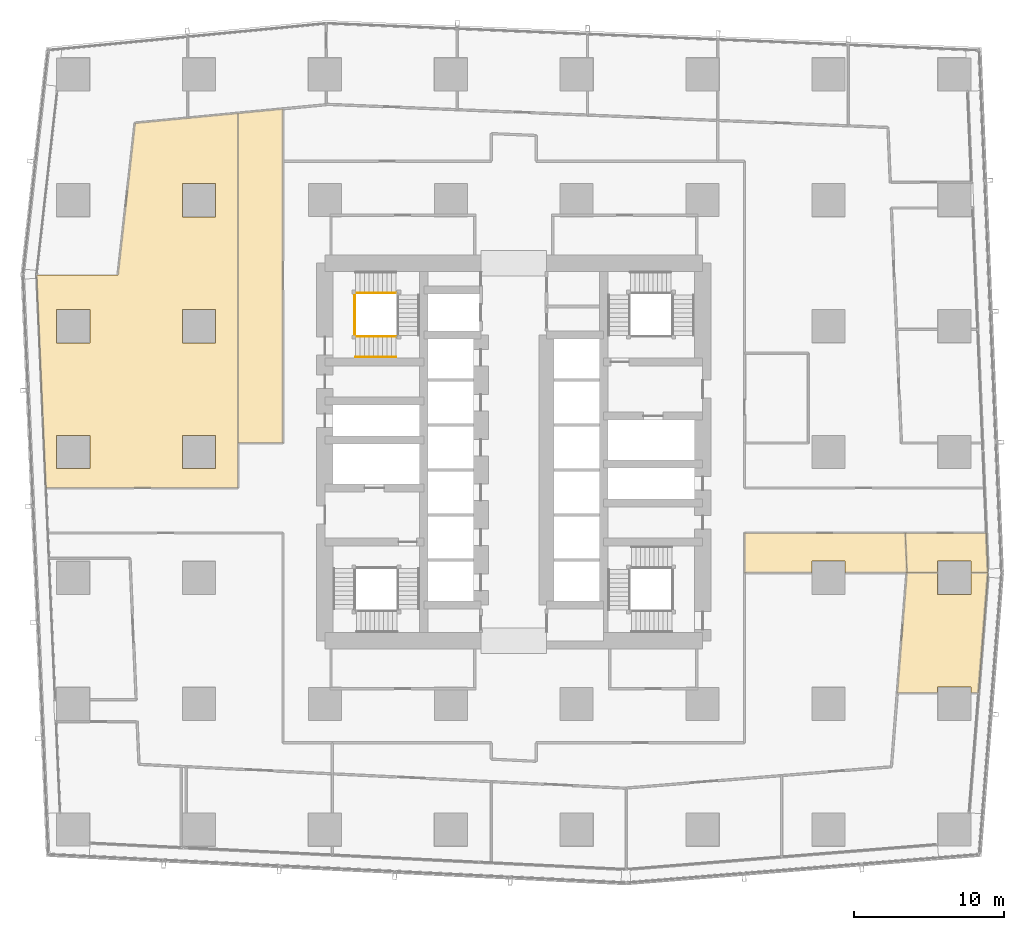
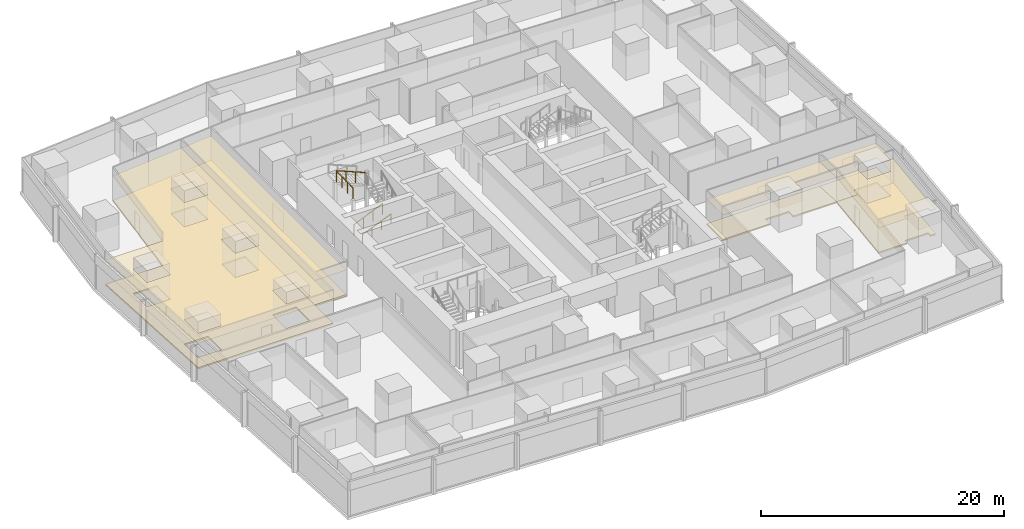
# One storey, part 40 of 44: 10 coverings, 4 railings.
"""IFC4 building model written with IfcOpenShell, lengths in metres."""

from ifc_helpers import new_model, si_unit, direction, frame, origin, origin_2d, place, context, subcontext, project, spatial, polyline, circle, outline, extrude, material, layer, layer_set, type_object, element, save


model = new_model("IFC4")

# Units and contexts
model_context = context("Model", 3, precision=1e-05, world=origin(), true_north=direction((0.0, 1.0)))
body_context = subcontext(model_context, "Body", "Model", "MODEL_VIEW")
ifc_project = project(units=[si_unit("LENGTHUNIT", "METRE"), si_unit("AREAUNIT", "SQUARE_METRE"), si_unit("VOLUMEUNIT", "CUBIC_METRE"), si_unit("PLANEANGLEUNIT", "RADIAN"), si_unit("MASSUNIT", "GRAM", prefix="KILO")], contexts=[model_context])

# Site, building, storey
site_placement = place(None, origin())
site = spatial("IfcSite", under=ifc_project, at=site_placement, CompositionType="ELEMENT")
building_placement = place(site_placement, origin())
building = spatial("IfcBuilding", under=site, at=building_placement, Name="Rekha Terrace Tower", CompositionType="ELEMENT")
storey_placement = place(building_placement, frame((0.0, 0.0, 74.14990234375)))
storey = spatial("IfcBuildingStorey", under=building, at=storey_placement, Name="L18", CompositionType="ELEMENT", Elevation=74.14990234375)

# Coverings
ifc_material_1 = material(Name="Mineral fibre tile in exposed grid", Category="finish")
ifc_layer_1 = layer(ifc_material_1, 0.02001953125)
ifc_layer_set_1 = layer_set([ifc_layer_1], Name="Mineral fibre tile in exposed grid")
covering_type_1 = type_object("IfcCoveringType", Name="CL1 600x1200 office grid ceiling", PredefinedType="CEILING", material=ifc_layer_set_1)
covering_1_placement = place(storey_placement, frame((0.0, 0.0, 2.580078125)))
element("IfcCovering", 1, at=covering_1_placement, inside=storey, type_object=covering_type_1, Name="Ceiling L18-05", PredefinedType="CEILING", context=body_context, shape_type="SweptSolid", body=[
    extrude(outline(polyline([(68.31494140625, 17.9150390625), (68.31494140625, 17.52392578125), (68.803955078125, 17.52392578125), (69.44091796875, 25.551025390625), (68.31494140625, 25.551025390625), (68.31494140625, 24.0849609375), (66.0849609375, 24.0849609375), (66.0849609375, 25.551025390625), (64.02392578125, 25.551025390625), (63.386962890625, 17.52392578125), (66.0849609375, 17.52392578125), (66.0849609375, 17.9150390625), (68.31494140625, 17.9150390625)])), origin(), (0.0, 0.0, 1.0), 0.02001953125),
])
covering_2_placement = place(storey_placement, frame((0.0, 0.0, 2.580078125)))
element("IfcCovering", 2, at=covering_2_placement, inside=storey, type_object=covering_type_1, Name="Ceiling L18-18", PredefinedType="CEILING", context=body_context, shape_type="SweptSolid", body=[
    extrude(outline(polyline([(11.39306640625, 45.412109375), (5.964111328125, 45.412109375), (6.4541015625, 34.201904296875), (6.455078125, 34.200927734375), (6.5859375, 31.199951171875), (19.39990234375, 31.199951171875), (19.39990234375, 56.205078125), (16.052978515625, 55.883056640625), (12.531982421875, 55.5439453125), (11.39306640625, 45.412109375)]), holes=[polyline([(17.9150390625, 32.485107421875), (15.68505859375, 32.485107421875), (15.68505859375, 34.715087890625), (17.9150390625, 34.715087890625), (17.9150390625, 32.485107421875)]), polyline([(17.9150390625, 40.885009765625), (15.68505859375, 40.885009765625), (15.68505859375, 43.114990234375), (17.9150390625, 43.114990234375), (17.9150390625, 40.885009765625)]), polyline([(17.9150390625, 49.284912109375), (15.68505859375, 49.284912109375), (15.68505859375, 51.514892578125), (17.9150390625, 51.514892578125), (17.9150390625, 49.284912109375)]), polyline([(9.514892578125, 32.485107421875), (7.284912109375, 32.485107421875), (7.284912109375, 34.715087890625), (9.514892578125, 34.715087890625), (9.514892578125, 32.485107421875)]), polyline([(9.514892578125, 40.885009765625), (7.284912109375, 40.885009765625), (7.284912109375, 43.114990234375), (9.514892578125, 43.114990234375), (9.514892578125, 40.885009765625)])]), origin(), (0.0, 0.0, 1.0), 0.02001953125),
])
covering_3_placement = place(storey_placement, frame((0.0, 0.0, 2.580078125)))
element("IfcCovering", 3, at=covering_3_placement, inside=storey, type_object=covering_type_1, Name="Ceiling L18-19", PredefinedType="CEILING", context=body_context, shape_type="SweptSolid", body=[
    extrude(outline(polyline([(19.39990234375, 34.199951171875), (22.39990234375, 34.199951171875), (22.39990234375, 56.493896484375), (19.39990234375, 56.205078125), (19.39990234375, 34.199951171875)])), origin(), (0.0, 0.0, 1.0), 0.02001953125),
])
covering_4_placement = place(storey_placement, frame((0.0, 0.0, 2.580078125)))
element("IfcCovering", 4, at=covering_4_placement, inside=storey, type_object=covering_type_1, Name="Ceiling L18-23", PredefinedType="CEILING", context=body_context, shape_type="SweptSolid", body=[
    extrude(outline(polyline([(69.43701171875, 25.552001953125), (69.322998046875, 28.199951171875), (63.9189453125, 28.199951171875), (64.031982421875, 25.552001953125), (66.0849609375, 25.552001953125), (66.0849609375, 26.31494140625), (68.31494140625, 26.31494140625), (68.31494140625, 25.552001953125), (69.43701171875, 25.552001953125)])), origin(), (0.0, 0.0, 1.0), 0.02001953125),
])
covering_5_placement = place(storey_placement, frame((0.0, 0.0, 2.580078125)))
element("IfcCovering", 5, at=covering_5_placement, inside=storey, type_object=covering_type_1, Name="Ceiling L18-24", PredefinedType="CEILING", context=body_context, shape_type="SweptSolid", body=[
    extrude(outline(polyline([(59.9150390625, 26.31494140625), (59.9150390625, 25.552001953125), (64.031982421875, 25.552001953125), (63.9189453125, 28.199951171875), (53.199951171875, 28.199951171875), (53.199951171875, 25.552001953125), (57.68505859375, 25.552001953125), (57.68505859375, 26.31494140625), (59.9150390625, 26.31494140625)])), origin(), (0.0, 0.0, 1.0), 0.02001953125),
])

# Railings
ifc_material_2 = material(Name="Stainless steel balustrade", Category="steel")
railing_type_1 = type_object("IfcRailingType", Name="GR1 1100 stair guard", PredefinedType="GUARDRAIL", material=ifc_material_2)
railing_1_placement = place(storey_placement, frame((27.25, 41.31494140625, 0.125)))
element("IfcRailing", 6, at=railing_1_placement, inside=storey, type_object=railing_type_1, Name="Guard ST4 L18 flight 1", PredefinedType="GUARDRAIL", context=body_context, shape_type="SweptSolid", body=[
    extrude(circle(Radius=0.02392578125, at=origin_2d()), frame((0.0, 0.0, 1.076171875), z_axis=(0.923074453586, 0.0, 0.384621311341), x_axis=(0.0, 1.0, 0.0)), (0.0, 0.0, 1.0), 2.925048828125),
    extrude(circle(Radius=0.02099609375, at=origin_2d()), origin(), (0.0, 0.0, 1.0), 1.052001953125),
    extrude(circle(Radius=0.02099609375, at=origin_2d()), frame((0.89990234375, 0.0, 0.375)), (0.0, 0.0, 1.0), 1.052001953125),
    extrude(circle(Radius=0.02099609375, at=origin_2d()), frame((1.800048828125, 0.0, 0.75)), (0.0, 0.0, 1.0), 1.052001953125),
    extrude(circle(Radius=0.02099609375, at=origin_2d()), frame((2.699951171875, 0.0, 1.125)), (0.0, 0.0, 1.0), 1.052001953125),
])
railing_2_placement = place(storey_placement, frame((29.949951171875, 44.2099609375, 2.625)))
element("IfcRailing", 7, at=railing_2_placement, inside=storey, type_object=railing_type_1, Name="Guard ST4 L18 flight 3", PredefinedType="GUARDRAIL", context=body_context, shape_type="SweptSolid", body=[
    extrude(circle(Radius=0.02392578125, at=origin_2d()), frame((0.0, 0.0, 1.076171875), z_axis=(-0.923074453586, 0.0, 0.384621311341), x_axis=(0.0, -1.0, 0.0)), (0.0, 0.0, 1.0), 2.925048828125),
    extrude(circle(Radius=0.02099609375, at=origin_2d()), origin(), (0.0, 0.0, 1.0), 1.052001953125),
    extrude(circle(Radius=0.02099609375, at=origin_2d()), frame((-0.89990234375, 0.0, 0.375)), (0.0, 0.0, 1.0), 1.052001953125),
    extrude(circle(Radius=0.02099609375, at=origin_2d()), frame((-1.800048828125, 0.0, 0.75)), (0.0, 0.0, 1.0), 1.052001953125),
    extrude(circle(Radius=0.02099609375, at=origin_2d()), frame((-2.699951171875, 0.0, 1.125)), (0.0, 0.0, 1.0), 1.052001953125),
])
railing_3_placement = place(storey_placement, frame((27.18994140625, 41.375, 3.75)))
element("IfcRailing", 8, at=railing_3_placement, inside=storey, type_object=railing_type_1, Name="Guard ST4 L18 landing 4", PredefinedType="GUARDRAIL", context=body_context, shape_type="SweptSolid", body=[
    extrude(circle(Radius=0.02392578125, at=origin_2d()), frame((0.0, 0.0, 1.076171875), z_axis=(0.0, 1.0, 0.0), x_axis=(-1.0, 0.0, 0.0)), (0.0, 0.0, 1.0), 2.77490234375),
    extrude(circle(Radius=0.02099609375, at=origin_2d()), origin(), (0.0, 0.0, 1.0), 1.052001953125),
    extrude(circle(Radius=0.02099609375, at=origin_2d()), frame((0.0, 0.925048828125, 0.0)), (0.0, 0.0, 1.0), 1.052001953125),
    extrude(circle(Radius=0.02099609375, at=origin_2d()), frame((0.0, 1.849853515625, 0.0)), (0.0, 0.0, 1.0), 1.052001953125),
    extrude(circle(Radius=0.02099609375, at=origin_2d()), frame((0.0, 2.77490234375, 0.0)), (0.0, 0.0, 1.0), 1.052001953125),
])
ifc_material_3 = material(Name="Stainless steel tube", Category="steel")
railing_type_2 = type_object("IfcRailingType", Name="HR1 900 stair handrail", PredefinedType="HANDRAIL", material=ifc_material_3)
railing_4_placement = place(storey_placement, frame((27.25, 39.93505859375, 0.125)))
element("IfcRailing", 9, at=railing_4_placement, inside=storey, type_object=railing_type_2, Name="Handrail ST4 L18 flight 1", PredefinedType="HANDRAIL", context=body_context, shape_type="SweptSolid", body=[
    extrude(circle(Radius=0.02392578125, at=origin_2d()), frame((0.0, 0.0, 0.8759765625), z_axis=(0.923074453586, 0.0, 0.384621311341), x_axis=(0.0, 1.0, 0.0)), (0.0, 0.0, 1.0), 2.925048828125),
    extrude(circle(Radius=0.02099609375, at=origin_2d()), origin(), (0.0, 0.0, 1.0), 0.851806640625),
    extrude(circle(Radius=0.02099609375, at=origin_2d()), frame((0.89990234375, 0.0, 0.375)), (0.0, 0.0, 1.0), 0.851806640625),
    extrude(circle(Radius=0.02099609375, at=origin_2d()), frame((1.800048828125, 0.0, 0.75)), (0.0, 0.0, 1.0), 0.851806640625),
    extrude(circle(Radius=0.02099609375, at=origin_2d()), frame((2.699951171875, 0.0, 1.125)), (0.0, 0.0, 1.0), 0.851806640625),
])

# Coverings
ifc_material_4 = material(Name="Calcium sulphate panels on steel pedestals", Category="steel")
ifc_layer_2 = layer(ifc_material_4, 0.14990234375)
ifc_layer_set_2 = layer_set([ifc_layer_2], Name="Calcium sulphate panels on steel pedestals")
covering_type_2 = type_object("IfcCoveringType", Name="RF1 150 raised access floor", PredefinedType="FLOORING", material=ifc_layer_set_2)
covering_6_placement = place(storey_placement, origin())
element("IfcCovering", 10, at=covering_6_placement, inside=storey, type_object=covering_type_2, Name="Raised floor L18-05", PredefinedType="FLOORING", context=body_context, shape_type="SweptSolid", body=[
    extrude(outline(polyline([(68.31494140625, 17.9150390625), (68.31494140625, 17.52392578125), (68.803955078125, 17.52392578125), (69.44091796875, 25.551025390625), (68.31494140625, 25.551025390625), (68.31494140625, 24.0849609375), (66.0849609375, 24.0849609375), (66.0849609375, 25.551025390625), (64.02392578125, 25.551025390625), (63.386962890625, 17.52392578125), (66.0849609375, 17.52392578125), (66.0849609375, 17.9150390625), (68.31494140625, 17.9150390625)])), origin(), (0.0, 0.0, 1.0), 0.150146484375),
])
covering_7_placement = place(storey_placement, origin())
element("IfcCovering", 11, at=covering_7_placement, inside=storey, type_object=covering_type_2, Name="Raised floor L18-18", PredefinedType="FLOORING", context=body_context, shape_type="SweptSolid", body=[
    extrude(outline(polyline([(11.39306640625, 45.412109375), (5.964111328125, 45.412109375), (6.4541015625, 34.201904296875), (6.455078125, 34.200927734375), (6.5859375, 31.199951171875), (19.39990234375, 31.199951171875), (19.39990234375, 56.205078125), (16.052978515625, 55.883056640625), (12.531982421875, 55.5439453125), (11.39306640625, 45.412109375)]), holes=[polyline([(17.9150390625, 32.485107421875), (15.68505859375, 32.485107421875), (15.68505859375, 34.715087890625), (17.9150390625, 34.715087890625), (17.9150390625, 32.485107421875)]), polyline([(17.9150390625, 40.885009765625), (15.68505859375, 40.885009765625), (15.68505859375, 43.114990234375), (17.9150390625, 43.114990234375), (17.9150390625, 40.885009765625)]), polyline([(17.9150390625, 49.284912109375), (15.68505859375, 49.284912109375), (15.68505859375, 51.514892578125), (17.9150390625, 51.514892578125), (17.9150390625, 49.284912109375)]), polyline([(9.514892578125, 32.485107421875), (7.284912109375, 32.485107421875), (7.284912109375, 34.715087890625), (9.514892578125, 34.715087890625), (9.514892578125, 32.485107421875)]), polyline([(9.514892578125, 40.885009765625), (7.284912109375, 40.885009765625), (7.284912109375, 43.114990234375), (9.514892578125, 43.114990234375), (9.514892578125, 40.885009765625)])]), origin(), (0.0, 0.0, 1.0), 0.150146484375),
])
covering_8_placement = place(storey_placement, origin())
element("IfcCovering", 12, at=covering_8_placement, inside=storey, type_object=covering_type_2, Name="Raised floor L18-19", PredefinedType="FLOORING", context=body_context, shape_type="SweptSolid", body=[
    extrude(outline(polyline([(19.39990234375, 34.199951171875), (22.39990234375, 34.199951171875), (22.39990234375, 56.493896484375), (19.39990234375, 56.205078125), (19.39990234375, 34.199951171875)])), origin(), (0.0, 0.0, 1.0), 0.150146484375),
])
covering_9_placement = place(storey_placement, origin())
element("IfcCovering", 13, at=covering_9_placement, inside=storey, type_object=covering_type_2, Name="Raised floor L18-23", PredefinedType="FLOORING", context=body_context, shape_type="SweptSolid", body=[
    extrude(outline(polyline([(69.43701171875, 25.552001953125), (69.322998046875, 28.199951171875), (63.9189453125, 28.199951171875), (64.031982421875, 25.552001953125), (66.0849609375, 25.552001953125), (66.0849609375, 26.31494140625), (68.31494140625, 26.31494140625), (68.31494140625, 25.552001953125), (69.43701171875, 25.552001953125)])), origin(), (0.0, 0.0, 1.0), 0.150146484375),
])
covering_10_placement = place(storey_placement, origin())
element("IfcCovering", 14, at=covering_10_placement, inside=storey, type_object=covering_type_2, Name="Raised floor L18-24", PredefinedType="FLOORING", context=body_context, shape_type="SweptSolid", body=[
    extrude(outline(polyline([(59.9150390625, 26.31494140625), (59.9150390625, 25.552001953125), (64.031982421875, 25.552001953125), (63.9189453125, 28.199951171875), (53.199951171875, 28.199951171875), (53.199951171875, 25.552001953125), (57.68505859375, 25.552001953125), (57.68505859375, 26.31494140625), (59.9150390625, 26.31494140625)])), origin(), (0.0, 0.0, 1.0), 0.150146484375),
])

save(model, "model.ifc")
